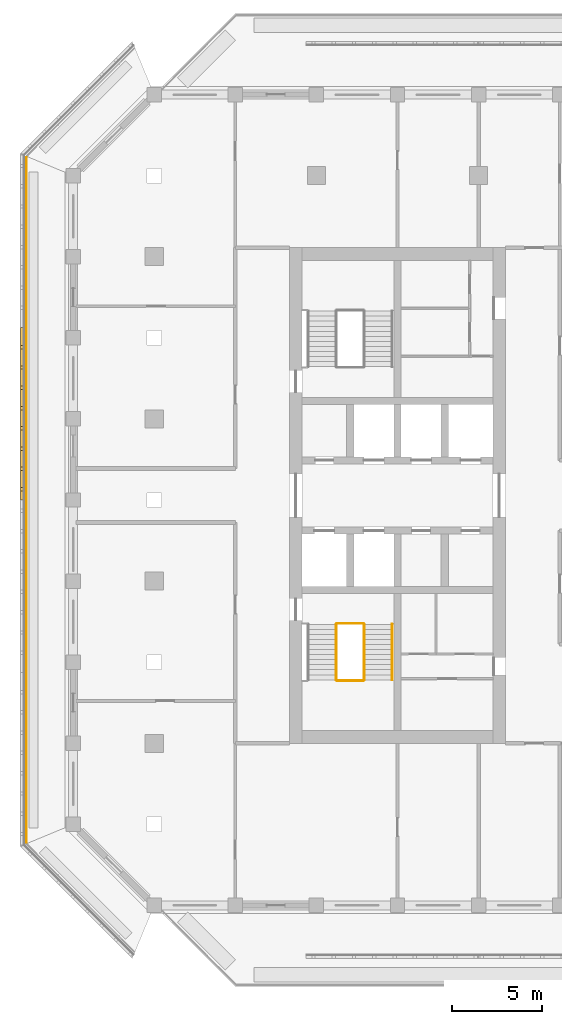
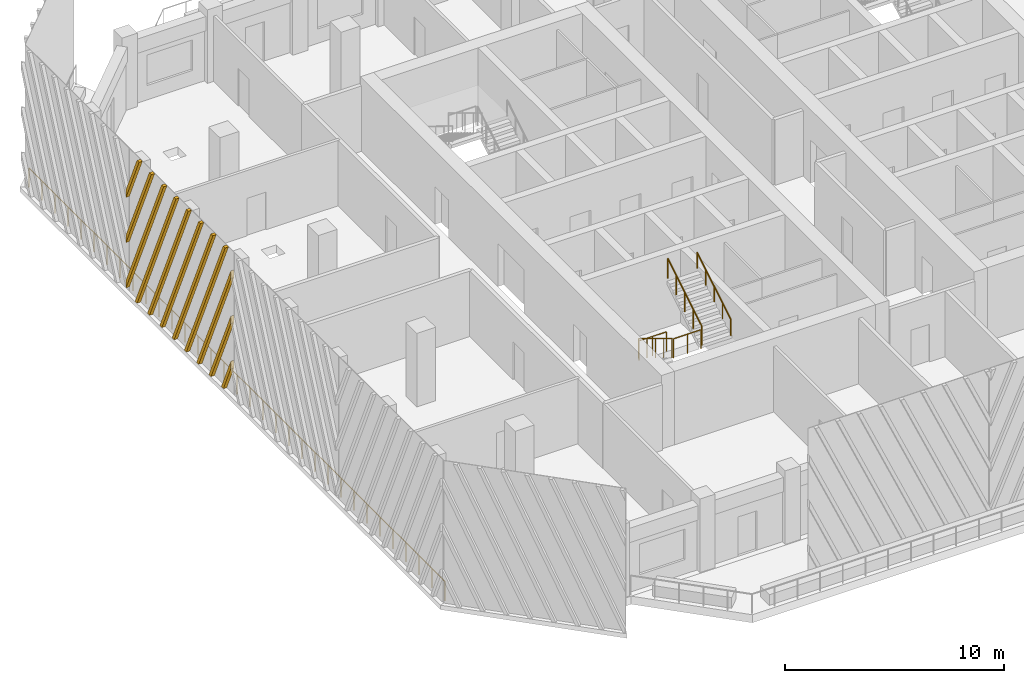
# One storey, part 9 of 14: 6 railings, 1 shading device.
"""IFC4 building model written with IfcOpenShell, lengths in metres."""

from ifc_helpers import new_model, si_unit, direction, frame, origin, origin_2d, place, context, subcontext, project, spatial, polyline, circle, outline, extrude, source, transform, mapped, material, type_object, element, save


model = new_model("IFC4")

# Units and contexts
model_context = context("Model", 3, precision=1e-05, world=origin(), true_north=direction((0.0, 1.0)))
body_context = subcontext(model_context, "Body", "Model", "MODEL_VIEW")
ifc_project = project(units=[si_unit("LENGTHUNIT", "METRE"), si_unit("AREAUNIT", "SQUARE_METRE"), si_unit("VOLUMEUNIT", "CUBIC_METRE"), si_unit("PLANEANGLEUNIT", "RADIAN"), si_unit("MASSUNIT", "GRAM", prefix="KILO")], contexts=[model_context])

# Site, building, storey
site_placement = place(None, origin())
site = spatial("IfcSite", under=ifc_project, at=site_placement, CompositionType="ELEMENT")
building_placement = place(site_placement, origin())
building = spatial("IfcBuilding", under=site, at=building_placement, Name="Corbel Stack Research Tower", CompositionType="ELEMENT")
storey_placement = place(building_placement, frame((0.0, 0.0, 266.300048828125)))
storey = spatial("IfcBuildingStorey", under=building, at=storey_placement, Name="L60", CompositionType="ELEMENT", Elevation=266.300048828125)

# Railings
ifc_material_1 = material(Name="Steel S355", Category="steel")
railing_type_1 = type_object("IfcRailingType", Name="Stair guard 1100", PredefinedType="GUARDRAIL", material=ifc_material_1)
railing_1_placement = place(storey_placement, frame((-7.89990234375, -2.39990234375, 0.1708984375)))
element("IfcRailing", 1, at=railing_1_placement, inside=storey, type_object=railing_type_1, Name="L60 ST-W1 stair guard 1", PredefinedType="GUARDRAIL", context=body_context, shape_type="SweptSolid", body=[
    extrude(circle(Radius=0.02392578125, at=origin_2d()), frame((0.0, 0.0, 1.076171875), z_axis=(0.0, -0.853666305674, 0.52082035152), x_axis=(1.0, 0.0, 0.0)), (0.0, 0.0, 1.0), 3.608154296875),
    extrude(circle(Radius=0.02099609375, at=origin_2d()), origin(), (0.0, 0.0, 1.0), 1.052001953125),
    extrude(circle(Radius=0.02099609375, at=origin_2d()), frame((0.0, -0.77001953125, 0.4697265625)), (0.0, 0.0, 1.0), 1.052001953125),
    extrude(circle(Radius=0.02099609375, at=origin_2d()), frame((0.0, -1.5400390625, 0.939453125)), (0.0, 0.0, 1.0), 1.052001953125),
    extrude(circle(Radius=0.02099609375, at=origin_2d()), frame((0.0, -2.31005859375, 1.409423828125)), (0.0, 0.0, 1.0), 1.052001953125),
    extrude(circle(Radius=0.02099609375, at=origin_2d()), frame((0.0, -3.080078125, 1.879150390625)), (0.0, 0.0, 1.0), 1.052001953125),
])
railing_2_placement = place(storey_placement, frame((-7.85009765625, -5.530029296875, 2.050048828125)))
element("IfcRailing", 2, at=railing_2_placement, inside=storey, type_object=railing_type_1, Name="L60 ST-W1 stair guard 2", PredefinedType="GUARDRAIL", context=body_context, shape_type="SweptSolid", body=[
    extrude(circle(Radius=0.02392578125, at=origin_2d()), frame((0.0, 0.0, 1.076171875), z_axis=(1.0, 0.0, 0.0), x_axis=(0.0, 1.0, 0.0)), (0.0, 0.0, 1.0), 1.4501953125),
    extrude(circle(Radius=0.02099609375, at=origin_2d()), origin(), (0.0, 0.0, 1.0), 1.052001953125),
    extrude(circle(Radius=0.02099609375, at=origin_2d()), frame((0.72509765625, 0.0, 0.0)), (0.0, 0.0, 1.0), 1.052001953125),
    extrude(circle(Radius=0.02099609375, at=origin_2d()), frame((1.4501953125, 0.0, 0.0)), (0.0, 0.0, 1.0), 1.052001953125),
])
railing_3_placement = place(storey_placement, frame((-6.35009765625, -5.47998046875, 2.220703125)))
element("IfcRailing", 3, at=railing_3_placement, inside=storey, type_object=railing_type_1, Name="L60 ST-W1 stair guard 4", PredefinedType="GUARDRAIL", context=body_context, shape_type="SweptSolid", body=[
    extrude(circle(Radius=0.02392578125, at=origin_2d()), frame((0.0, 0.0, 1.076171875), z_axis=(0.0, 0.853666305674, 0.52082035152), x_axis=(-1.0, 0.0, 0.0)), (0.0, 0.0, 1.0), 3.608154296875),
    extrude(circle(Radius=0.02099609375, at=origin_2d()), origin(), (0.0, 0.0, 1.0), 1.052001953125),
    extrude(circle(Radius=0.02099609375, at=origin_2d()), frame((0.0, 0.77001953125, 0.4697265625)), (0.0, 0.0, 1.0), 1.052001953125),
    extrude(circle(Radius=0.02099609375, at=origin_2d()), frame((0.0, 1.5400390625, 0.939453125)), (0.0, 0.0, 1.0), 1.052001953125),
    extrude(circle(Radius=0.02099609375, at=origin_2d()), frame((0.0, 2.31005859375, 1.409423828125)), (0.0, 0.0, 1.0), 1.052001953125),
    extrude(circle(Radius=0.02099609375, at=origin_2d()), frame((0.0, 3.080078125, 1.879150390625)), (0.0, 0.0, 1.0), 1.052001953125),
])
railing_4_placement = place(storey_placement, frame((-7.85009765625, -2.35009765625, 0.0)))
element("IfcRailing", 4, at=railing_4_placement, inside=storey, type_object=railing_type_1, Name="L60 ST-W1 stair guard 5", PredefinedType="GUARDRAIL", context=body_context, shape_type="SweptSolid", body=[
    extrude(circle(Radius=0.02392578125, at=origin_2d()), frame((0.0, 0.0, 1.076171875), z_axis=(1.0, 0.0, 0.0), x_axis=(0.0, 1.0, 0.0)), (0.0, 0.0, 1.0), 1.4501953125),
    extrude(circle(Radius=0.02099609375, at=origin_2d()), origin(), (0.0, 0.0, 1.0), 1.052001953125),
    extrude(circle(Radius=0.02099609375, at=origin_2d()), frame((0.72509765625, 0.0, 0.0)), (0.0, 0.0, 1.0), 1.052001953125),
    extrude(circle(Radius=0.02099609375, at=origin_2d()), frame((1.4501953125, 0.0, 0.0)), (0.0, 0.0, 1.0), 1.052001953125),
])
ifc_material_2 = material(Name="Steel S355", Category="steel")
railing_type_2 = type_object("IfcRailingType", Name="Stair handrail 900", PredefinedType="HANDRAIL", material=ifc_material_2)
railing_5_placement = place(storey_placement, frame((-4.800048828125, -5.47998046875, 2.220703125)))
element("IfcRailing", 5, at=railing_5_placement, inside=storey, type_object=railing_type_2, Name="L60 ST-W1 stair handrail 2", PredefinedType="HANDRAIL", context=body_context, shape_type="SweptSolid", body=[
    extrude(circle(Radius=0.02392578125, at=origin_2d()), frame((0.0, 0.0, 0.8759765625), z_axis=(0.0, 0.853666305674, 0.52082035152), x_axis=(-1.0, 0.0, 0.0)), (0.0, 0.0, 1.0), 3.608154296875),
    extrude(circle(Radius=0.02099609375, at=origin_2d()), origin(), (0.0, 0.0, 1.0), 0.851806640625),
    extrude(circle(Radius=0.02099609375, at=origin_2d()), frame((0.0, 0.77001953125, 0.4697265625)), (0.0, 0.0, 1.0), 0.851806640625),
    extrude(circle(Radius=0.02099609375, at=origin_2d()), frame((0.0, 1.5400390625, 0.939453125)), (0.0, 0.0, 1.0), 0.851806640625),
    extrude(circle(Radius=0.02099609375, at=origin_2d()), frame((0.0, 2.31005859375, 1.409423828125)), (0.0, 0.0, 1.0), 0.851806640625),
    extrude(circle(Radius=0.02099609375, at=origin_2d()), frame((0.0, 3.080078125, 1.879150390625)), (0.0, 0.0, 1.0), 0.851806640625),
])
ifc_material_3 = material(Name="Powder-coated steel guard", Category="steel")
railing_type_3 = type_object("IfcRailingType", Name="Steel and glass guard 1100", PredefinedType="GUARDRAIL", material=ifc_material_3)
railing_6_placement = place(storey_placement, frame((-25.10009765625, 23.50537109375, 0.0)))
element("IfcRailing", 6, at=railing_6_placement, inside=storey, type_object=railing_type_3, Name="Loggia guard L60 W", PredefinedType="GUARDRAIL", context=body_context, shape_type="SweptSolid", body=[
    extrude(circle(Radius=0.02392578125, at=origin_2d()), frame((0.0, 0.0, 1.076171875), z_axis=(0.0, -1.0, 0.0), x_axis=(1.0, 0.0, 0.0)), (0.0, 0.0, 1.0), 38.0107421875),
    extrude(circle(Radius=0.02099609375, at=origin_2d()), origin(), (0.0, 0.0, 1.0), 1.052001953125),
    extrude(circle(Radius=0.02099609375, at=origin_2d()), frame((0.0, -1.187744140625, 0.0)), (0.0, 0.0, 1.0), 1.052001953125),
    extrude(circle(Radius=0.02099609375, at=origin_2d()), frame((0.0, -2.375732421875, 0.0)), (0.0, 0.0, 1.0), 1.052001953125),
    extrude(circle(Radius=0.02099609375, at=origin_2d()), frame((0.0, -3.5634765625, 0.0)), (0.0, 0.0, 1.0), 1.052001953125),
    extrude(circle(Radius=0.02099609375, at=origin_2d()), frame((0.0, -4.75146484375, 0.0)), (0.0, 0.0, 1.0), 1.052001953125),
    extrude(circle(Radius=0.02099609375, at=origin_2d()), frame((0.0, -5.939208984375, 0.0)), (0.0, 0.0, 1.0), 1.052001953125),
    extrude(circle(Radius=0.02099609375, at=origin_2d()), frame((0.0, -7.126953125, 0.0)), (0.0, 0.0, 1.0), 1.052001953125),
    extrude(circle(Radius=0.02099609375, at=origin_2d()), frame((0.0, -8.31494140625, 0.0)), (0.0, 0.0, 1.0), 1.052001953125),
    extrude(circle(Radius=0.02099609375, at=origin_2d()), frame((0.0, -9.502685546875, 0.0)), (0.0, 0.0, 1.0), 1.052001953125),
    extrude(circle(Radius=0.02099609375, at=origin_2d()), frame((0.0, -10.6904296875, 0.0)), (0.0, 0.0, 1.0), 1.052001953125),
    extrude(circle(Radius=0.02099609375, at=origin_2d()), frame((0.0, -11.87841796875, 0.0)), (0.0, 0.0, 1.0), 1.052001953125),
    extrude(circle(Radius=0.02099609375, at=origin_2d()), frame((0.0, -13.066162109375, 0.0)), (0.0, 0.0, 1.0), 1.052001953125),
    extrude(circle(Radius=0.02099609375, at=origin_2d()), frame((0.0, -14.25390625, 0.0)), (0.0, 0.0, 1.0), 1.052001953125),
    extrude(circle(Radius=0.02099609375, at=origin_2d()), frame((0.0, -15.44189453125, 0.0)), (0.0, 0.0, 1.0), 1.052001953125),
    extrude(circle(Radius=0.02099609375, at=origin_2d()), frame((0.0, -16.629638671875, 0.0)), (0.0, 0.0, 1.0), 1.052001953125),
    extrude(circle(Radius=0.02099609375, at=origin_2d()), frame((0.0, -17.817626953125, 0.0)), (0.0, 0.0, 1.0), 1.052001953125),
    extrude(circle(Radius=0.02099609375, at=origin_2d()), frame((0.0, -19.00537109375, 0.0)), (0.0, 0.0, 1.0), 1.052001953125),
    extrude(circle(Radius=0.02099609375, at=origin_2d()), frame((0.0, -20.193115234375, 0.0)), (0.0, 0.0, 1.0), 1.052001953125),
    extrude(circle(Radius=0.02099609375, at=origin_2d()), frame((0.0, -21.381103515625, 0.0)), (0.0, 0.0, 1.0), 1.052001953125),
    extrude(circle(Radius=0.02099609375, at=origin_2d()), frame((0.0, -22.56884765625, 0.0)), (0.0, 0.0, 1.0), 1.052001953125),
    extrude(circle(Radius=0.02099609375, at=origin_2d()), frame((0.0, -23.7568359375, 0.0)), (0.0, 0.0, 1.0), 1.052001953125),
    extrude(circle(Radius=0.02099609375, at=origin_2d()), frame((0.0, -24.944580078125, 0.0)), (0.0, 0.0, 1.0), 1.052001953125),
    extrude(circle(Radius=0.02099609375, at=origin_2d()), frame((0.0, -26.13232421875, 0.0)), (0.0, 0.0, 1.0), 1.052001953125),
    extrude(circle(Radius=0.02099609375, at=origin_2d()), frame((0.0, -27.3203125, 0.0)), (0.0, 0.0, 1.0), 1.052001953125),
    extrude(circle(Radius=0.02099609375, at=origin_2d()), frame((0.0, -28.508056640625, 0.0)), (0.0, 0.0, 1.0), 1.052001953125),
    extrude(circle(Radius=0.02099609375, at=origin_2d()), frame((0.0, -29.69580078125, 0.0)), (0.0, 0.0, 1.0), 1.052001953125),
    extrude(circle(Radius=0.02099609375, at=origin_2d()), frame((0.0, -30.8837890625, 0.0)), (0.0, 0.0, 1.0), 1.052001953125),
    extrude(circle(Radius=0.02099609375, at=origin_2d()), frame((0.0, -32.071533203125, 0.0)), (0.0, 0.0, 1.0), 1.052001953125),
    extrude(circle(Radius=0.02099609375, at=origin_2d()), frame((0.0, -33.25927734375, 0.0)), (0.0, 0.0, 1.0), 1.052001953125),
    extrude(circle(Radius=0.02099609375, at=origin_2d()), frame((0.0, -34.447265625, 0.0)), (0.0, 0.0, 1.0), 1.052001953125),
    extrude(circle(Radius=0.02099609375, at=origin_2d()), frame((0.0, -35.635009765625, 0.0)), (0.0, 0.0, 1.0), 1.052001953125),
    extrude(circle(Radius=0.02099609375, at=origin_2d()), frame((0.0, -36.822998046875, 0.0)), (0.0, 0.0, 1.0), 1.052001953125),
    extrude(circle(Radius=0.02099609375, at=origin_2d()), frame((0.0, -38.0107421875, 0.0)), (0.0, 0.0, 1.0), 1.052001953125),
])

# Shading device
ifc_material_4 = material(Name="Precast terracotta", Category="masonry")
shading_device_type = type_object("IfcShadingDeviceType", Name="Terracotta screen panel", PredefinedType="USERDEFINED", material=ifc_material_4)
shared_shape = source(origin(), body_context, "Body", "SweptSolid", [
    extrude(outline(polyline([(1.18701171875, 7.949951171875), (0.9970703125, 7.949951171875), (0.0, 5.710693359375), (0.0, 5.283935546875), (1.18701171875, 7.949951171875)])), frame((0.0, 0.0, 0.0), z_axis=(0.0, -1.0, 0.0), x_axis=(1.0, 0.0, 0.0)), (0.0, 0.0, 1.0), 0.179931640625),
    extrude(outline(polyline([(2.31201171875, 7.949951171875), (2.1220703125, 7.949951171875), (0.0, 3.18408203125), (0.0, 2.757080078125), (2.31201171875, 7.949951171875)])), frame((0.0, 0.0, 0.0), z_axis=(0.0, -1.0, 0.0), x_axis=(1.0, 0.0, 0.0)), (0.0, 0.0, 1.0), 0.179931640625),
    extrude(outline(polyline([(3.43701171875, 7.949951171875), (3.2470703125, 7.949951171875), (0.0, 0.6572265625), (0.0, 0.23046875), (3.43701171875, 7.949951171875)])), frame((0.0, 0.0, 0.0), z_axis=(0.0, -1.0, 0.0), x_axis=(1.0, 0.0, 0.0)), (0.0, 0.0, 1.0), 0.179931640625),
    extrude(outline(polyline([(1.0224609375, 0.0), (4.56201171875, 7.949951171875), (4.3720703125, 7.949951171875), (0.83251953125, 0.0), (1.0224609375, 0.0)])), frame((0.0, 0.0, 0.0), z_axis=(0.0, -1.0, 0.0), x_axis=(1.0, 0.0, 0.0)), (0.0, 0.0, 1.0), 0.179931640625),
    extrude(outline(polyline([(2.1474609375, 0.0), (5.68701171875, 7.949951171875), (5.4970703125, 7.949951171875), (1.95751953125, 0.0), (2.1474609375, 0.0)])), frame((0.0, 0.0, 0.0), z_axis=(0.0, -1.0, 0.0), x_axis=(1.0, 0.0, 0.0)), (0.0, 0.0, 1.0), 0.179931640625),
    extrude(outline(polyline([(3.2724609375, 0.0), (6.81201171875, 7.949951171875), (6.6220703125, 7.949951171875), (3.08251953125, 0.0), (3.2724609375, 0.0)])), frame((0.0, 0.0, 0.0), z_axis=(0.0, -1.0, 0.0), x_axis=(1.0, 0.0, 0.0)), (0.0, 0.0, 1.0), 0.179931640625),
    extrude(outline(polyline([(4.3974609375, 0.0), (7.93701171875, 7.949951171875), (7.7470703125, 7.949951171875), (4.20751953125, 0.0), (4.3974609375, 0.0)])), frame((0.0, 0.0, 0.0), z_axis=(0.0, -1.0, 0.0), x_axis=(1.0, 0.0, 0.0)), (0.0, 0.0, 1.0), 0.179931640625),
    extrude(outline(polyline([(5.5224609375, 0.0), (9.06201171875, 7.949951171875), (8.8720703125, 7.949951171875), (5.33251953125, 0.0), (5.5224609375, 0.0)])), frame((0.0, 0.0, 0.0), z_axis=(0.0, -1.0, 0.0), x_axis=(1.0, 0.0, 0.0)), (0.0, 0.0, 1.0), 0.179931640625),
    extrude(outline(polyline([(6.6474609375, 0.0), (9.569580078125, 6.563232421875), (9.569580078125, 6.989990234375), (6.45751953125, 0.0), (6.6474609375, 0.0)])), frame((0.0, 0.0, 0.0), z_axis=(0.0, -1.0, 0.0), x_axis=(1.0, 0.0, 0.0)), (0.0, 0.0, 1.0), 0.179931640625),
    extrude(outline(polyline([(7.7724609375, 0.0), (9.569580078125, 4.036376953125), (9.569580078125, 4.463134765625), (7.58251953125, 0.0), (7.7724609375, 0.0)])), frame((0.0, 0.0, 0.0), z_axis=(0.0, -1.0, 0.0), x_axis=(1.0, 0.0, 0.0)), (0.0, 0.0, 1.0), 0.179931640625),
    extrude(outline(polyline([(8.8974609375, 0.0), (9.569580078125, 1.509521484375), (9.569580078125, 1.936279296875), (8.70751953125, 0.0), (8.8974609375, 0.0)])), frame((0.0, 0.0, 0.0), z_axis=(0.0, -1.0, 0.0), x_axis=(1.0, 0.0, 0.0)), (0.0, 0.0, 1.0), 0.179931640625),
])
shading_device_placement = place(storey_placement, frame((-25.25, 14.069580078125, 0.0), z_axis=(0.0, 0.0, 1.0), x_axis=(0.0, -1.0, 0.0)))
element("IfcShadingDevice", 7, at=shading_device_placement, inside=storey, type_object=shading_device_type, Name="Terracotta screen L60 W2", ObjectType="SCREEN", PredefinedType="USERDEFINED", context=body_context, shape_type="MappedRepresentation", body=[
    mapped(shared_shape, transform((0.0, 0.0, 0.0))),
])

save(model, "model.ifc")
